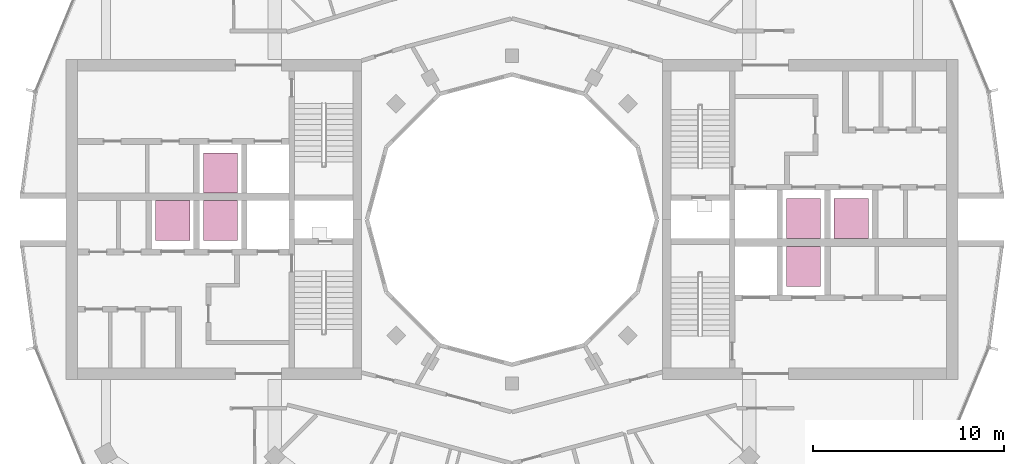
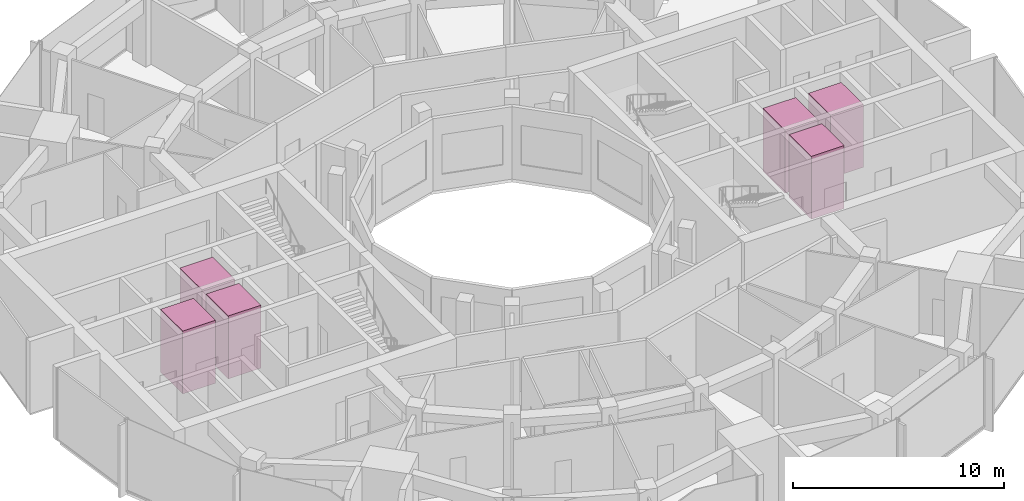
# One storey, part 15 of 15: 6 transport elements.
"""IFC4 building model written with IfcOpenShell, lengths in metres."""

from ifc_helpers import new_model, si_unit, direction, frame, origin, origin_2d, place, context, subcontext, project, spatial, rectangle, extrude, material, type_object, element, save


model = new_model("IFC4")

# Units and contexts
model_context = context("Model", 3, precision=1e-05, world=origin(), true_north=direction((0.0, 1.0)))
body_context = subcontext(model_context, "Body", "Model", "MODEL_VIEW")
ifc_project = project(units=[si_unit("LENGTHUNIT", "METRE"), si_unit("AREAUNIT", "SQUARE_METRE"), si_unit("VOLUMEUNIT", "CUBIC_METRE"), si_unit("PLANEANGLEUNIT", "RADIAN"), si_unit("MASSUNIT", "GRAM", prefix="KILO")], contexts=[model_context])

# Site, building, storey
site_placement = place(None, origin())
site = spatial("IfcSite", under=ifc_project, at=site_placement, CompositionType="ELEMENT")
building_placement = place(site_placement, origin())
building = spatial("IfcBuilding", under=site, at=building_placement, Name="Torre Brocal", CompositionType="ELEMENT")
storey_placement = place(building_placement, frame((0.0, 0.0, 249.89990234375)))
storey = spatial("IfcBuildingStorey", under=building, at=storey_placement, Name="L57", CompositionType="ELEMENT", Elevation=249.89990234375)

# Transport elements
ifc_material = material(Name="Stainless steel AISI 316", Category="steel")
transport_element_type = type_object("IfcTransportElementType", Name="PASSENGER LIFT", PredefinedType="ELEVATOR", material=ifc_material)
for number, where, z_axis, x_axis, name in (
    (1, (95.300048828125, 75.050048828125, 0.000244140625), (0.0, 0.0, 1.0), (1.0, 0.0, 0.0), "HIGH RISE LIFT E-HR1"),
    (2, (95.300048828125, 72.550048828125, 0.000244140625), (0.0, 0.0, 1.0), (1.0, 0.0, 0.0), "HIGH RISE LIFT E-HR2"),
    (3, (97.800048828125, 75.050048828125, 0.000244140625), (0.0, 0.0, 1.0), (1.0, 0.0, 0.0), "HIGH RISE LIFT E-HR3"),
    (4, (64.699951171875, 74.949951171875, 0.000244140625), (0.0, 0.0, 1.0), (1.0, 0.0, 0.0), "HIGH RISE LIFT W-HR1"),
    (5, (64.699951171875, 77.449951171875, 0.000244140625), (0.0, 0.0, 1.0), (1.0, 0.0, 0.0), "HIGH RISE LIFT W-HR2"),
    (6, (62.199951171875, 74.949951171875, 0.000244140625), (0.0, 0.0, 1.0), (1.0, 0.0, 0.0), "HIGH RISE LIFT W-HR3"),
):
    element("IfcTransportElement", number, at=place(storey_placement, frame(where, z_axis=z_axis, x_axis=x_axis)), inside=storey, type_object=transport_element_type, Name=name, PredefinedType="ELEVATOR", context=body_context, shape_type="SweptSolid", body=[
        extrude(rectangle(XDim=1.800048828125, YDim=2.10009765625, at=origin_2d()), origin(), (0.0, 0.0, 1.0), 3.64990234375),
    ])

save(model, "model.ifc")
